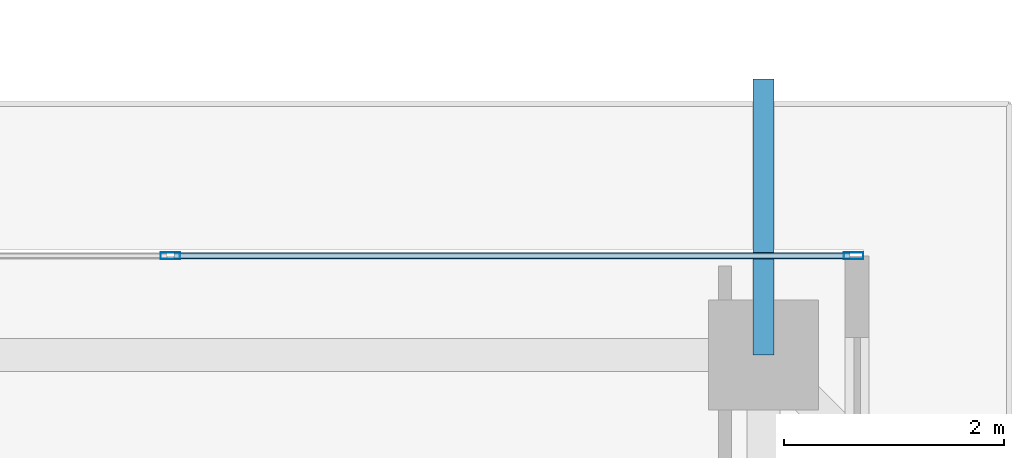
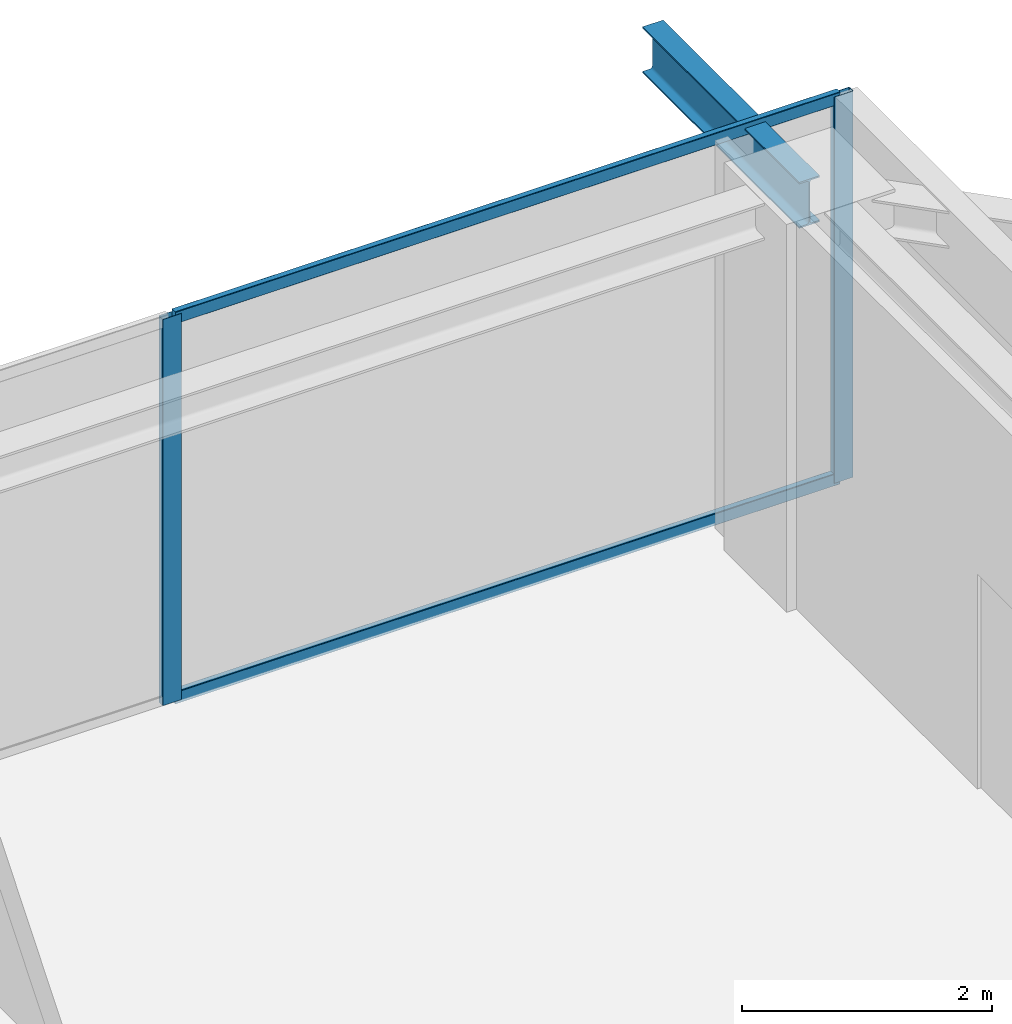
# One storey, part 29 of 42: 4 members, 1 beam, 1 element without a shape of its own.
"""IFC4 building model written with IfcOpenShell, lengths in metres."""

import ifcopenshell
import ifcopenshell.guid

model = None  # the IFC model being written
_history = None  # IfcOwnerHistory: only IFC2X3 demands one
_inside = {}  # id of a spatial element -> (the spatial element, [elements in it])
_under = {}  # id of a project, library or spatial element -> (it, [spatial elements below it])
_declared = {}  # id of a project -> (the project, [libraries it declares])
_typed = {}  # id of a type object -> (the type object, [elements of that type])
_made_of = {}  # id of a material, layer set ... -> (it, [elements and type objects made of it])


def new_model(schema):
    """Start an empty IFC model of exactly this schema.

    Asked for "IFC4X3", IfcOpenShell would pick the latest addendum, in which some entities
    have other attributes; the version numbers below select the first issue.
    IFC2X3 requires an IfcOwnerHistory on every rooted entity: one is made here for all.
    """
    global model, _history
    if schema == "IFC4X3":
        model = ifcopenshell.file(schema_version=(4, 3, 0, 0))
    else:
        model = ifcopenshell.file(schema=schema)
    _inside.clear()
    _under.clear()
    _declared.clear()
    _typed.clear()
    _made_of.clear()
    _history = None
    if model.schema == "IFC2X3":
        org = make("IfcOrganization", Name="unknown")
        user = make(
            "IfcPersonAndOrganization",
            ThePerson=make("IfcPerson", FamilyName="unknown"),
            TheOrganization=org,
        )
        app = make(
            "IfcApplication",
            ApplicationDeveloper=org,
            Version="unknown",
            ApplicationFullName="unknown",
            ApplicationIdentifier="unknown",
        )
        _history = make(
            "IfcOwnerHistory",
            OwningUser=user,
            OwningApplication=app,
            ChangeAction="ADDED",
            CreationDate=0,
        )
    return model


def make(cls, **values):
    """One entity of the class cls with the attributes given. An attribute that is None is left unset."""
    return model.create_entity(
        cls, **{name: value for name, value in values.items() if value is not None}
    )


def rooted(cls, **values):
    """An entity with a GlobalId (a new one), such as an element, a storey or a relation."""
    return make(cls, GlobalId=ifcopenshell.guid.new(), OwnerHistory=_history, **values)


def si_unit(unit_type, name, prefix=None):
    """IfcSIUnit, for example si_unit("LENGTHUNIT", "METRE", prefix="MILLI")."""
    return make("IfcSIUnit", UnitType=unit_type, Prefix=prefix, Name=name)


def assignment(units):
    """IfcUnitAssignment: the units of a project."""
    return None if units is None else make("IfcUnitAssignment", Units=units)


def point(xyz):
    """IfcCartesianPoint."""
    return None if xyz is None else make("IfcCartesianPoint", Coordinates=xyz)


def direction(xyz):
    """IfcDirection."""
    return None if xyz is None else make("IfcDirection", DirectionRatios=xyz)


def frame(location, z_axis=None, x_axis=None):
    """IfcAxis2Placement3D, a coordinate frame: its origin and axes. An axis left out is left unset."""
    return make(
        "IfcAxis2Placement3D",
        Location=point(location),
        Axis=direction(z_axis),
        RefDirection=direction(x_axis),
    )


def frame_2d(location, x_axis=None):
    """IfcAxis2Placement2D, a coordinate frame in the plane: its origin and x axis."""
    return make(
        "IfcAxis2Placement2D", Location=point(location), RefDirection=direction(x_axis)
    )


def origin():
    """The frame at (0, 0, 0) with its axes left unset."""
    return frame((0.0, 0.0, 0.0))


def origin_2d():
    """The frame at (0, 0) in the plane with its x axis left unset."""
    return frame_2d((0.0, 0.0))


def place(relative_to, where):
    """IfcLocalPlacement: puts the frame where relative to a parent placement (None: the world)."""
    return make(
        "IfcLocalPlacement", PlacementRelTo=relative_to, RelativePlacement=where
    )


def context(
    kind, dimensions, precision=None, world=None, true_north=None, identifier=None
):
    """IfcGeometricRepresentationContext, for example the 3D "Model" context."""
    return make(
        "IfcGeometricRepresentationContext",
        ContextIdentifier=identifier,
        ContextType=kind,
        CoordinateSpaceDimension=dimensions,
        Precision=precision,
        WorldCoordinateSystem=world,
        TrueNorth=true_north,
    )


def subcontext(parent, identifier, kind, view, scale=None):
    """IfcGeometricRepresentationSubContext, for example "Body" below "Model"."""
    return make(
        "IfcGeometricRepresentationSubContext",
        ContextIdentifier=identifier,
        ContextType=kind,
        ParentContext=parent,
        TargetScale=scale,
        TargetView=view,
    )


def project(units=None, contexts=None):
    """IfcProject with its units and contexts."""
    return rooted(
        "IfcProject",
        Name="project",
        RepresentationContexts=contexts,
        UnitsInContext=assignment(units),
    )


def spatial(cls, under=None, at=None, **own):
    """A site, building, storey or space (cls), placed at a placement, below another one or the project."""
    s = rooted(cls, ObjectPlacement=at, **own)
    if under is not None:
        _under.setdefault(under.id(), (under, []))[1].append(s)
    return s


def profile(cls, at=None, kind="AREA", **sizes):
    """A parametric profile (cls). Its sizes go by their IFC names, for example OverallWidth=200.0."""
    return make(cls, ProfileType=kind, Position=at, **sizes)


def hollow_rectangle(**sizes):
    """IfcRectangleHollowProfileDef."""
    return profile("IfcRectangleHollowProfileDef", **sizes)


def i_section(**sizes):
    """IfcIShapeProfileDef."""
    return profile("IfcIShapeProfileDef", **sizes)


def extrude(swept, where, along, depth):
    """IfcExtrudedAreaSolid: the profile swept, set in the frame where, extruded along a direction by depth."""
    return make(
        "IfcExtrudedAreaSolid",
        SweptArea=swept,
        Position=where,
        ExtrudedDirection=direction(along),
        Depth=depth,
    )


def shape(context_of_items, identifier, shape_type, items):
    """IfcShapeRepresentation: the items that make up one representation, for example the "Body"."""
    return make(
        "IfcShapeRepresentation",
        ContextOfItems=context_of_items,
        RepresentationIdentifier=identifier,
        RepresentationType=shape_type,
        Items=items,
    )


def source(mapping_origin, context_of_items, identifier, shape_type, items):
    """IfcRepresentationMap: a shape defined once, which mapped items show again and again."""
    return make(
        "IfcRepresentationMap",
        MappingOrigin=mapping_origin,
        MappedRepresentation=shape(context_of_items, identifier, shape_type, items),
    )


def transform(
    local_origin,
    x_axis=None,
    y_axis=None,
    z_axis=None,
    scale=None,
    scale2=None,
    scale3=None,
    uniform=True,
):
    """IfcCartesianTransformationOperator3D, or its non-uniform kind. x_axis, y_axis, z_axis: its Axis1, 2, 3."""
    if uniform:
        return make(
            "IfcCartesianTransformationOperator3D",
            Axis1=direction(x_axis),
            Axis2=direction(y_axis),
            LocalOrigin=point(local_origin),
            Scale=scale,
            Axis3=direction(z_axis),
        )
    return make(
        "IfcCartesianTransformationOperator3DnonUniform",
        Axis1=direction(x_axis),
        Axis2=direction(y_axis),
        LocalOrigin=point(local_origin),
        Scale=scale,
        Axis3=direction(z_axis),
        Scale2=scale2,
        Scale3=scale3,
    )


def mapped(mapping_source, mapping_target):
    """IfcMappedItem: shows the shape of a source again, moved by a transform."""
    return make(
        "IfcMappedItem", MappingSource=mapping_source, MappingTarget=mapping_target
    )


def material(Name=None, Category=None):
    """IfcMaterial."""
    return make("IfcMaterial", Name=Name, Category=Category)


def layer(
    of_material, thickness, ventilated=None, Name=None, Category=None, Priority=None
):
    """IfcMaterialLayer: one layer of a wall or slab, of a material (None: an air gap)."""
    return make(
        "IfcMaterialLayer",
        Material=of_material,
        LayerThickness=thickness,
        IsVentilated=ventilated,
        Name=Name,
        Category=Category,
        Priority=Priority,
    )


def layer_set(layers, Name=None):
    """IfcMaterialLayerSet."""
    return make("IfcMaterialLayerSet", MaterialLayers=layers, LayerSetName=Name)


def material_profile(
    of_material, cross_section, Name=None, Category=None, Priority=None
):
    """IfcMaterialProfile: a cross section and its material."""
    return make(
        "IfcMaterialProfile",
        Name=Name,
        Material=of_material,
        Profile=cross_section,
        Priority=Priority,
        Category=Category,
    )


def profile_set(profiles, Name=None, composite=None):
    """IfcMaterialProfileSet."""
    return make(
        "IfcMaterialProfileSet",
        Name=Name,
        MaterialProfiles=profiles,
        CompositeProfile=composite,
    )


def made_of(thing, what):
    """Note that an element or type object is made of a material, layer set ...; save() writes the relation."""
    if what is not None:
        _made_of.setdefault(what.id(), (what, []))[1].append(thing)
    return thing


def type_object(cls, material=None, **own):
    """A type object (cls), such as IfcWallType, which elements share."""
    return made_of(rooted(cls, **own), material)


def element(
    cls,
    number,
    at=None,
    inside=None,
    cuts=None,
    type_object=None,
    material=None,
    context=None,
    identifier="Body",
    shape_type=None,
    held_by="IfcProductDefinitionShape",
    body=None,
    shapes=None,
    **own,
):
    """One element of the class cls, such as IfcWall. Its Tag is "e" and its number.

    at: its placement. inside: the storey or other place that contains it. cuts: it is an
    opening in that element (IfcRelVoidsElement). A single representation is given by context,
    identifier, shape_type and body (its items); several are given by shapes. held_by: the class
    of the entity that holds the representations. save() writes the other relations.
    """
    e = rooted(cls, Tag="e%d" % number, ObjectPlacement=at, **own)
    if body is not None:
        shapes = [shape(context, identifier, shape_type, body)]
    if shapes is not None:
        e.Representation = make(held_by, Representations=shapes)
    if inside is not None:
        _inside.setdefault(inside.id(), (inside, []))[1].append(e)
    if cuts is not None:
        rooted(
            "IfcRelVoidsElement", RelatingBuildingElement=cuts, RelatedOpeningElement=e
        )
    if type_object is not None:
        _typed.setdefault(type_object.id(), (type_object, []))[1].append(e)
    return made_of(e, material)


def aggregate(whole, parts):
    """IfcRelAggregates: a whole, such as a stair, and the parts it consists of."""
    return rooted("IfcRelAggregates", RelatingObject=whole, RelatedObjects=parts)


def save(model, path):
    """Write the relations noted so far, then the file.

    IfcRelAggregates (storeys below a building ...), IfcRelContainedInSpatialStructure (elements
    in a storey), IfcRelDefinesByType, IfcRelAssociatesMaterial and IfcRelDeclares: one each for
    every whole, place, type object, material and project.
    """
    for whole, parts in _under.values():
        aggregate(whole, parts)
    for where, things in _inside.values():
        rooted(
            "IfcRelContainedInSpatialStructure",
            RelatedElements=things,
            RelatingStructure=where,
        )
    for kind, things in _typed.values():
        rooted("IfcRelDefinesByType", RelatedObjects=things, RelatingType=kind)
    for what, things in _made_of.values():
        rooted("IfcRelAssociatesMaterial", RelatedObjects=things, RelatingMaterial=what)
    for by, libraries in _declared.values():
        rooted("IfcRelDeclares", RelatingContext=by, RelatedDefinitions=libraries)
    model.write(path)


model = new_model("IFC4")

# Units and contexts
model_context = context("Model", 3, precision=1e-05, world=origin(), true_north=direction((0.0, 1.0)))
body_context = subcontext(model_context, "Body", "Model", "MODEL_VIEW")
ifc_project = project(units=[si_unit("LENGTHUNIT", "METRE"), si_unit("AREAUNIT", "SQUARE_METRE"), si_unit("VOLUMEUNIT", "CUBIC_METRE"), si_unit("PLANEANGLEUNIT", "RADIAN"), si_unit("MASSUNIT", "GRAM", prefix="KILO")], contexts=[model_context])

# Site, building, storey
site_placement = place(None, origin())
site = spatial("IfcSite", under=ifc_project, at=site_placement, CompositionType="ELEMENT")
building_placement = place(site_placement, origin())
building = spatial("IfcBuilding", under=site, at=building_placement, Name="Serunith Strait Residences", CompositionType="ELEMENT")
storey_placement = place(building_placement, frame((0.0, 0.0, 325.85009765625)))
storey = spatial("IfcBuildingStorey", under=building, at=storey_placement, Name="L81", CompositionType="ELEMENT", Elevation=325.85009765625)

# Beam
ifc_material_1 = material(Name="Steel S355J2", Category="steel")
ifc_material_profile_1 = material_profile(ifc_material_1, i_section(OverallWidth=0.18994140625, OverallDepth=0.449951171875, WebThickness=0.009521484375, FlangeThickness=0.0146484375, FilletRadius=0.02099609375, at=origin_2d()), Name="IPE 450")
ifc_profile_set_1 = profile_set([ifc_material_profile_1], Name="Steel S355J2")
beam_type = type_object("IfcBeamType", Name="BM-IPE450", PredefinedType="JOIST", material=ifc_profile_set_1)
shared_shape_1 = source(origin(), body_context, "Body", "SweptSolid", [
    extrude(i_section(OverallWidth=0.18994140625, OverallDepth=0.449951171875, WebThickness=0.009521484375, FlangeThickness=0.0146484375, FilletRadius=0.02099609375, at=origin_2d()), origin(), (0.0, 0.0, 1.0), 2.508544921875),
])
beam_placement = place(storey_placement, frame((47.14990234375, 47.10009765625, 3.531982421875), z_axis=(0.0, 1.0, 0.0), x_axis=(-1.0, 0.0, 0.0)))
element("IfcBeam", 1, at=beam_placement, inside=storey, type_object=beam_type, Name="L82 Cantilevered Balcony Rib TC-N4", PredefinedType="JOIST", context=body_context, shape_type="MappedRepresentation", body=[
    mapped(shared_shape_1, transform((0.0, 0.0, 0.0), scale=1.0)),
])

# Curtain wall, members
ifc_material_2 = material(Name="Brushed Stainless-Silver Aluminium", Category="aluminium")
ifc_layer = layer(ifc_material_2, 0.199951171875, Name="Brushed Stainless-Silver Aluminium")
ifc_layer_set = layer_set([ifc_layer], Name="Brushed Stainless-Silver Aluminium")
curtain_wall_type = type_object("IfcCurtainWallType", Name="CW-SYS5", PredefinedType="NOTDEFINED", material=ifc_layer_set)
curtain_wall_placement = place(storey_placement, origin())
curtain_wall = element("IfcCurtainWall", 2, at=curtain_wall_placement, inside=storey, type_object=curtain_wall_type, Name="L81 N Unitised Fritted Curtain Wall", PredefinedType="NOTDEFINED")
ifc_material_profile_2 = material_profile(ifc_material_2, hollow_rectangle(XDim=0.06005859375, YDim=0.1201171875, WallThickness=0.00341796875, InnerFilletRadius=0.00537109375, OuterFilletRadius=0.0087890625, at=origin_2d()), Name="ALU 120x60x3.5")
ifc_profile_set_2 = profile_set([ifc_material_profile_2], Name="Brushed Stainless-Silver Aluminium")
member_type_1 = type_object("IfcMemberType", Name="CW-SYS5-TRAN", PredefinedType="USERDEFINED", material=ifc_profile_set_2)
shared_shape_2 = source(origin(), body_context, "Body", "SweptSolid", [
    extrude(hollow_rectangle(XDim=0.06005859375, YDim=0.1201171875, WallThickness=0.00341796875, InnerFilletRadius=0.00537109375, OuterFilletRadius=0.0087890625, at=origin_2d()), origin(), (0.0, 0.0, 1.0), 6.142578125),
])
member_1_placement = place(storey_placement, frame((47.93505859375, 48.0, 0.02978515625), z_axis=(-1.0, 0.0, 0.0), x_axis=(0.0, -1.0, 0.0)))
member_1 = element("IfcMember", 3, at=member_1_placement, type_object=member_type_1, Name="CW-5 transom 1.1", ObjectType="TRANSOM", PredefinedType="USERDEFINED", context=body_context, shape_type="MappedRepresentation", body=[
    mapped(shared_shape_2, transform((0.0, 0.0, 0.0), scale=1.0)),
])
member_2_placement = place(storey_placement, frame((47.93505859375, 48.0, 3.744873046875), z_axis=(-1.0, 0.0, 0.0), x_axis=(0.0, -1.0, 0.0)))
member_2 = element("IfcMember", 4, at=member_2_placement, type_object=member_type_1, Name="CW-5 transom 1.2", ObjectType="TRANSOM", PredefinedType="USERDEFINED", context=body_context, shape_type="MappedRepresentation", body=[
    mapped(shared_shape_2, transform((0.0, 0.0, 0.0), scale=1.0)),
])
ifc_material_profile_3 = material_profile(ifc_material_2, hollow_rectangle(XDim=0.06494140625, YDim=0.179931640625, WallThickness=0.00341796875, InnerFilletRadius=0.00537109375, OuterFilletRadius=0.0087890625, at=origin_2d()), Name="ALU 180x65x3.5")
ifc_profile_set_3 = profile_set([ifc_material_profile_3], Name="Brushed Stainless-Silver Aluminium")
member_type_2 = type_object("IfcMemberType", Name="CW-SYS5-MULL", PredefinedType="MULLION", material=ifc_profile_set_3)
shared_shape_3 = source(origin(), body_context, "Body", "SweptSolid", [
    extrude(hollow_rectangle(XDim=0.06494140625, YDim=0.179931640625, WallThickness=0.00341796875, InnerFilletRadius=0.00537109375, OuterFilletRadius=0.0087890625, at=origin_2d()), origin(), (0.0, 0.0, 1.0), 3.77490234375),
])
member_3_placement = place(storey_placement, frame((47.967529296875, 48.0, 0.0), z_axis=(0.0, 0.0, 1.0), x_axis=(0.0, -1.0, 0.0)))
member_3 = element("IfcMember", 5, at=member_3_placement, type_object=member_type_2, Name="CW-5 mullion 1", PredefinedType="MULLION", context=body_context, shape_type="MappedRepresentation", body=[
    mapped(shared_shape_3, transform((0.0, 0.0, 0.0), scale=1.0)),
])
member_4_placement = place(storey_placement, frame((41.760009765625, 48.0, 0.0), z_axis=(0.0, 0.0, 1.0), x_axis=(0.0, -1.0, 0.0)))
member_4 = element("IfcMember", 6, at=member_4_placement, type_object=member_type_2, Name="CW-5 mullion 2", PredefinedType="MULLION", context=body_context, shape_type="MappedRepresentation", body=[
    mapped(shared_shape_3, transform((0.0, 0.0, 0.0), scale=1.0)),
])
aggregate(curtain_wall, [member_3, member_4, member_1, member_2])

save(model, "model.ifc")
